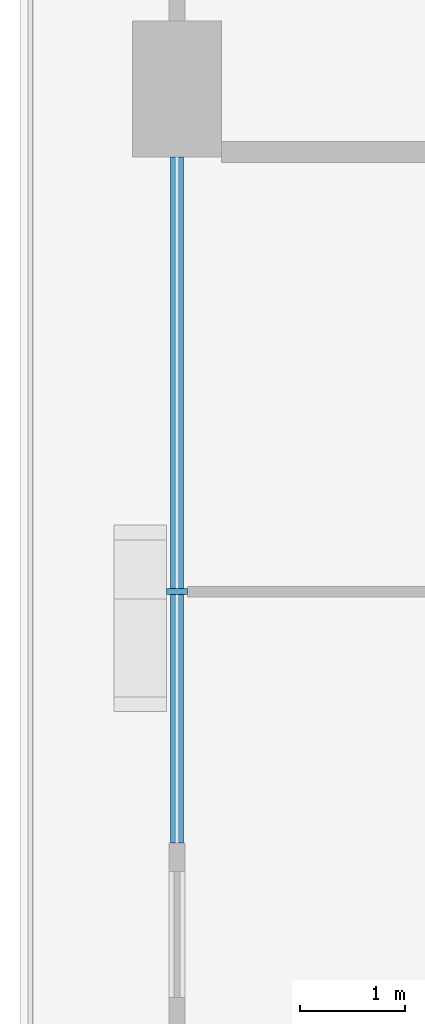
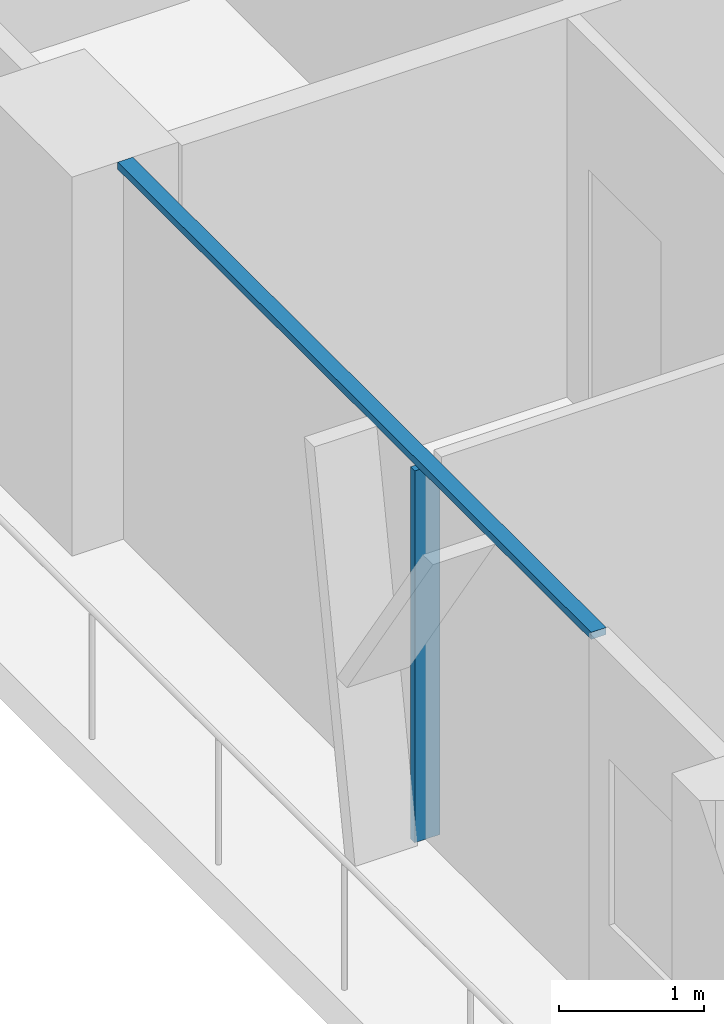
# One storey, part 3 of 22: 2 members, 1 element without a shape of its own.
"""IFC4 building model written with IfcOpenShell, lengths in metres."""

import ifcopenshell
import ifcopenshell.guid

model = None  # the IFC model being written
_history = None  # IfcOwnerHistory: only IFC2X3 demands one
_inside = {}  # id of a spatial element -> (the spatial element, [elements in it])
_under = {}  # id of a project, library or spatial element -> (it, [spatial elements below it])
_declared = {}  # id of a project -> (the project, [libraries it declares])
_typed = {}  # id of a type object -> (the type object, [elements of that type])
_made_of = {}  # id of a material, layer set ... -> (it, [elements and type objects made of it])


def new_model(schema):
    """Start an empty IFC model of exactly this schema.

    Asked for "IFC4X3", IfcOpenShell would pick the latest addendum, in which some entities
    have other attributes; the version numbers below select the first issue.
    IFC2X3 requires an IfcOwnerHistory on every rooted entity: one is made here for all.
    """
    global model, _history
    if schema == "IFC4X3":
        model = ifcopenshell.file(schema_version=(4, 3, 0, 0))
    else:
        model = ifcopenshell.file(schema=schema)
    _inside.clear()
    _under.clear()
    _declared.clear()
    _typed.clear()
    _made_of.clear()
    _history = None
    if model.schema == "IFC2X3":
        org = make("IfcOrganization", Name="unknown")
        user = make(
            "IfcPersonAndOrganization",
            ThePerson=make("IfcPerson", FamilyName="unknown"),
            TheOrganization=org,
        )
        app = make(
            "IfcApplication",
            ApplicationDeveloper=org,
            Version="unknown",
            ApplicationFullName="unknown",
            ApplicationIdentifier="unknown",
        )
        _history = make(
            "IfcOwnerHistory",
            OwningUser=user,
            OwningApplication=app,
            ChangeAction="ADDED",
            CreationDate=0,
        )
    return model


def make(cls, **values):
    """One entity of the class cls with the attributes given. An attribute that is None is left unset."""
    return model.create_entity(
        cls, **{name: value for name, value in values.items() if value is not None}
    )


def rooted(cls, **values):
    """An entity with a GlobalId (a new one), such as an element, a storey or a relation."""
    return make(cls, GlobalId=ifcopenshell.guid.new(), OwnerHistory=_history, **values)


def si_unit(unit_type, name, prefix=None):
    """IfcSIUnit, for example si_unit("LENGTHUNIT", "METRE", prefix="MILLI")."""
    return make("IfcSIUnit", UnitType=unit_type, Prefix=prefix, Name=name)


def assignment(units):
    """IfcUnitAssignment: the units of a project."""
    return None if units is None else make("IfcUnitAssignment", Units=units)


def point(xyz):
    """IfcCartesianPoint."""
    return None if xyz is None else make("IfcCartesianPoint", Coordinates=xyz)


def direction(xyz):
    """IfcDirection."""
    return None if xyz is None else make("IfcDirection", DirectionRatios=xyz)


def frame(location, z_axis=None, x_axis=None):
    """IfcAxis2Placement3D, a coordinate frame: its origin and axes. An axis left out is left unset."""
    return make(
        "IfcAxis2Placement3D",
        Location=point(location),
        Axis=direction(z_axis),
        RefDirection=direction(x_axis),
    )


def frame_2d(location, x_axis=None):
    """IfcAxis2Placement2D, a coordinate frame in the plane: its origin and x axis."""
    return make(
        "IfcAxis2Placement2D", Location=point(location), RefDirection=direction(x_axis)
    )


def origin():
    """The frame at (0, 0, 0) with its axes left unset."""
    return frame((0.0, 0.0, 0.0))


def origin_2d():
    """The frame at (0, 0) in the plane with its x axis left unset."""
    return frame_2d((0.0, 0.0))


def place(relative_to, where):
    """IfcLocalPlacement: puts the frame where relative to a parent placement (None: the world)."""
    return make(
        "IfcLocalPlacement", PlacementRelTo=relative_to, RelativePlacement=where
    )


def context(
    kind, dimensions, precision=None, world=None, true_north=None, identifier=None
):
    """IfcGeometricRepresentationContext, for example the 3D "Model" context."""
    return make(
        "IfcGeometricRepresentationContext",
        ContextIdentifier=identifier,
        ContextType=kind,
        CoordinateSpaceDimension=dimensions,
        Precision=precision,
        WorldCoordinateSystem=world,
        TrueNorth=true_north,
    )


def subcontext(parent, identifier, kind, view, scale=None):
    """IfcGeometricRepresentationSubContext, for example "Body" below "Model"."""
    return make(
        "IfcGeometricRepresentationSubContext",
        ContextIdentifier=identifier,
        ContextType=kind,
        ParentContext=parent,
        TargetScale=scale,
        TargetView=view,
    )


def project(units=None, contexts=None):
    """IfcProject with its units and contexts."""
    return rooted(
        "IfcProject",
        Name="project",
        RepresentationContexts=contexts,
        UnitsInContext=assignment(units),
    )


def spatial(cls, under=None, at=None, **own):
    """A site, building, storey or space (cls), placed at a placement, below another one or the project."""
    s = rooted(cls, ObjectPlacement=at, **own)
    if under is not None:
        _under.setdefault(under.id(), (under, []))[1].append(s)
    return s


def profile(cls, at=None, kind="AREA", **sizes):
    """A parametric profile (cls). Its sizes go by their IFC names, for example OverallWidth=200.0."""
    return make(cls, ProfileType=kind, Position=at, **sizes)


def rectangle(**sizes):
    """IfcRectangleProfileDef."""
    return profile("IfcRectangleProfileDef", **sizes)


def extrude(swept, where, along, depth):
    """IfcExtrudedAreaSolid: the profile swept, set in the frame where, extruded along a direction by depth."""
    return make(
        "IfcExtrudedAreaSolid",
        SweptArea=swept,
        Position=where,
        ExtrudedDirection=direction(along),
        Depth=depth,
    )


def shape(context_of_items, identifier, shape_type, items):
    """IfcShapeRepresentation: the items that make up one representation, for example the "Body"."""
    return make(
        "IfcShapeRepresentation",
        ContextOfItems=context_of_items,
        RepresentationIdentifier=identifier,
        RepresentationType=shape_type,
        Items=items,
    )


def material(Name=None, Category=None):
    """IfcMaterial."""
    return make("IfcMaterial", Name=Name, Category=Category)


def layer(
    of_material, thickness, ventilated=None, Name=None, Category=None, Priority=None
):
    """IfcMaterialLayer: one layer of a wall or slab, of a material (None: an air gap)."""
    return make(
        "IfcMaterialLayer",
        Material=of_material,
        LayerThickness=thickness,
        IsVentilated=ventilated,
        Name=Name,
        Category=Category,
        Priority=Priority,
    )


def layer_set(layers, Name=None):
    """IfcMaterialLayerSet."""
    return make("IfcMaterialLayerSet", MaterialLayers=layers, LayerSetName=Name)


def material_profile(
    of_material, cross_section, Name=None, Category=None, Priority=None
):
    """IfcMaterialProfile: a cross section and its material."""
    return make(
        "IfcMaterialProfile",
        Name=Name,
        Material=of_material,
        Profile=cross_section,
        Priority=Priority,
        Category=Category,
    )


def profile_set(profiles, Name=None, composite=None):
    """IfcMaterialProfileSet."""
    return make(
        "IfcMaterialProfileSet",
        Name=Name,
        MaterialProfiles=profiles,
        CompositeProfile=composite,
    )


def made_of(thing, what):
    """Note that an element or type object is made of a material, layer set ...; save() writes the relation."""
    if what is not None:
        _made_of.setdefault(what.id(), (what, []))[1].append(thing)
    return thing


def type_object(cls, material=None, **own):
    """A type object (cls), such as IfcWallType, which elements share."""
    return made_of(rooted(cls, **own), material)


def element(
    cls,
    number,
    at=None,
    inside=None,
    cuts=None,
    type_object=None,
    material=None,
    context=None,
    identifier="Body",
    shape_type=None,
    held_by="IfcProductDefinitionShape",
    body=None,
    shapes=None,
    **own,
):
    """One element of the class cls, such as IfcWall. Its Tag is "e" and its number.

    at: its placement. inside: the storey or other place that contains it. cuts: it is an
    opening in that element (IfcRelVoidsElement). A single representation is given by context,
    identifier, shape_type and body (its items); several are given by shapes. held_by: the class
    of the entity that holds the representations. save() writes the other relations.
    """
    e = rooted(cls, Tag="e%d" % number, ObjectPlacement=at, **own)
    if body is not None:
        shapes = [shape(context, identifier, shape_type, body)]
    if shapes is not None:
        e.Representation = make(held_by, Representations=shapes)
    if inside is not None:
        _inside.setdefault(inside.id(), (inside, []))[1].append(e)
    if cuts is not None:
        rooted(
            "IfcRelVoidsElement", RelatingBuildingElement=cuts, RelatedOpeningElement=e
        )
    if type_object is not None:
        _typed.setdefault(type_object.id(), (type_object, []))[1].append(e)
    return made_of(e, material)


def aggregate(whole, parts):
    """IfcRelAggregates: a whole, such as a stair, and the parts it consists of."""
    return rooted("IfcRelAggregates", RelatingObject=whole, RelatedObjects=parts)


def save(model, path):
    """Write the relations noted so far, then the file.

    IfcRelAggregates (storeys below a building ...), IfcRelContainedInSpatialStructure (elements
    in a storey), IfcRelDefinesByType, IfcRelAssociatesMaterial and IfcRelDeclares: one each for
    every whole, place, type object, material and project.
    """
    for whole, parts in _under.values():
        aggregate(whole, parts)
    for where, things in _inside.values():
        rooted(
            "IfcRelContainedInSpatialStructure",
            RelatedElements=things,
            RelatingStructure=where,
        )
    for kind, things in _typed.values():
        rooted("IfcRelDefinesByType", RelatedObjects=things, RelatingType=kind)
    for what, things in _made_of.values():
        rooted("IfcRelAssociatesMaterial", RelatedObjects=things, RelatingMaterial=what)
    for by, libraries in _declared.values():
        rooted("IfcRelDeclares", RelatingContext=by, RelatedDefinitions=libraries)
    model.write(path)


model = new_model("IFC4")

# Units and contexts
model_context = context("Model", 3, precision=1e-05, world=origin(), true_north=direction((0.0, 1.0)))
body_context = subcontext(model_context, "Body", "Model", "MODEL_VIEW")
ifc_project = project(units=[si_unit("LENGTHUNIT", "METRE"), si_unit("AREAUNIT", "SQUARE_METRE"), si_unit("VOLUMEUNIT", "CUBIC_METRE"), si_unit("PLANEANGLEUNIT", "RADIAN"), si_unit("MASSUNIT", "GRAM", prefix="KILO")], contexts=[model_context])

# Site, building, storey
site_placement = place(None, origin())
site = spatial("IfcSite", under=ifc_project, at=site_placement, CompositionType="ELEMENT")
building_placement = place(site_placement, origin())
building = spatial("IfcBuilding", under=site, at=building_placement, Name="Madar Terraces", CompositionType="ELEMENT")
storey_placement = place(building_placement, frame((0.0, 0.0, 103.199951171875)))
storey = spatial("IfcBuildingStorey", under=building, at=storey_placement, Name="L26", CompositionType="ELEMENT", Elevation=103.199951171875)

# Curtain wall, members
ifc_material_1 = material(Name="Glass, ceramic frit dark grey, with black aluminium frame", Category="aluminium")
ifc_layer = layer(ifc_material_1, 0.199951171875)
ifc_layer_set = layer_set([ifc_layer], Name="Facade curtain wall, fritted glass")
curtain_wall_type = type_object("IfcCurtainWallType", Name="Facade curtain wall, fritted glass", PredefinedType="NOTDEFINED", material=ifc_layer_set)
curtain_wall_placement = place(storey_placement, origin())
curtain_wall = element("IfcCurtainWall", 1, at=curtain_wall_placement, inside=storey, type_object=curtain_wall_type, Name="Outer skin curtain wall west bay 2", PredefinedType="NOTDEFINED")
ifc_material_2 = material(Name="Aluminium, black anodised", Category="aluminium")
ifc_material_profile_1 = material_profile(ifc_material_2, rectangle(XDim=0.199951171875, YDim=0.06005859375, at=origin_2d()), Name="Facade mullion 60x200")
ifc_profile_set_1 = profile_set([ifc_material_profile_1], Name="Aluminium, black anodised")
member_type_1 = type_object("IfcMemberType", Name="Facade mullion 60x200", PredefinedType="MULLION", material=ifc_profile_set_1)
member_1_placement = place(storey_placement, frame((4.800048828125, 33.60009765625, 0.0), z_axis=(0.0, 0.0, 1.0), x_axis=(1.0, 0.0, 0.0)))
member_1 = element("IfcMember", 2, at=member_1_placement, type_object=member_type_1, Name="Mullion 1", PredefinedType="MULLION", context=body_context, shape_type="SweptSolid", body=[
    extrude(rectangle(XDim=0.199951171875, YDim=0.06005859375, at=origin_2d()), origin(), (0.0, 0.0, 1.0), 3.14013671875),
])
ifc_material_3 = material(Name="Aluminium, black anodised", Category="aluminium")
ifc_material_profile_2 = material_profile(ifc_material_3, rectangle(XDim=0.1201171875, YDim=0.06005859375, at=origin_2d()), Name="Facade transom 60x120")
ifc_profile_set_2 = profile_set([ifc_material_profile_2], Name="Aluminium, black anodised")
member_type_2 = type_object("IfcMemberType", Name="Facade transom 60x120", PredefinedType="USERDEFINED", material=ifc_profile_set_2)
member_2_placement = place(storey_placement, frame((4.800048828125, 37.75, 3.170166015625), z_axis=(0.0, -1.0, 0.0), x_axis=(1.0, 0.0, 0.0)))
member_2 = element("IfcMember", 3, at=member_2_placement, type_object=member_type_2, Name="Transom 1", ObjectType="TRANSOM", PredefinedType="USERDEFINED", context=body_context, shape_type="SweptSolid", body=[
    extrude(rectangle(XDim=0.1201171875, YDim=0.06005859375, at=origin_2d()), origin(), (0.0, 0.0, 1.0), 6.550048828125),
])
aggregate(curtain_wall, [member_1, member_2])

save(model, "model.ifc")
